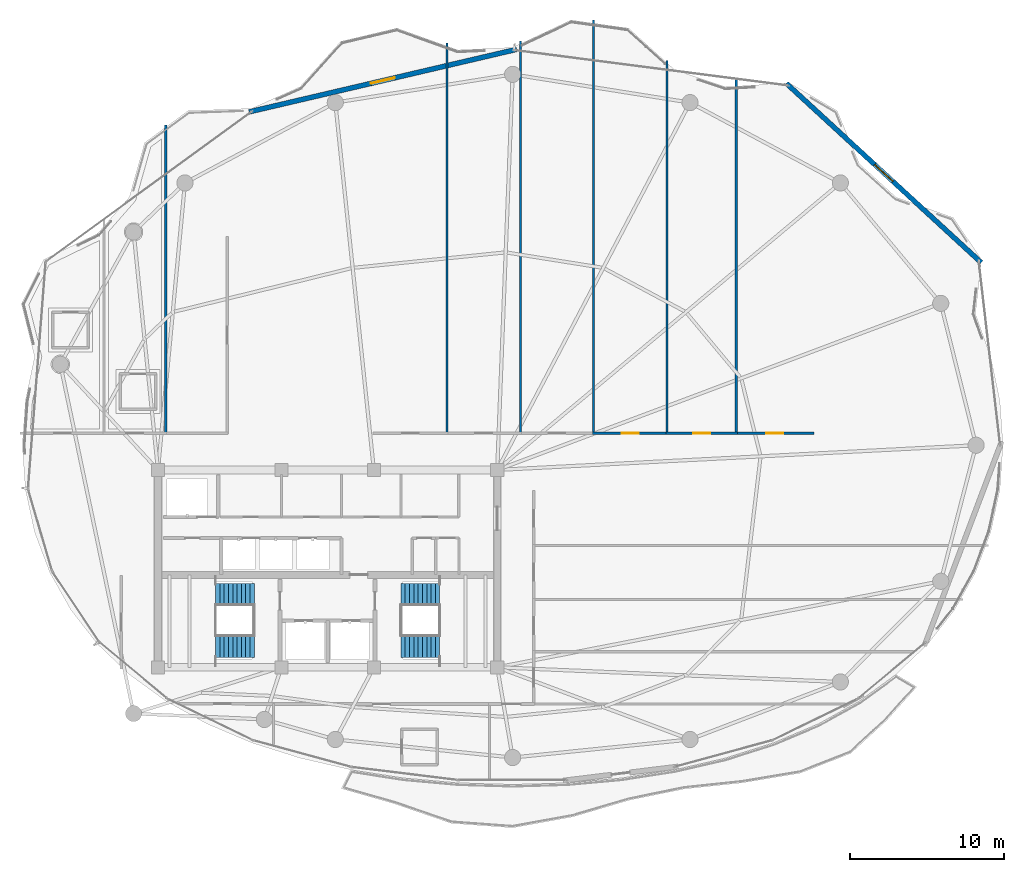
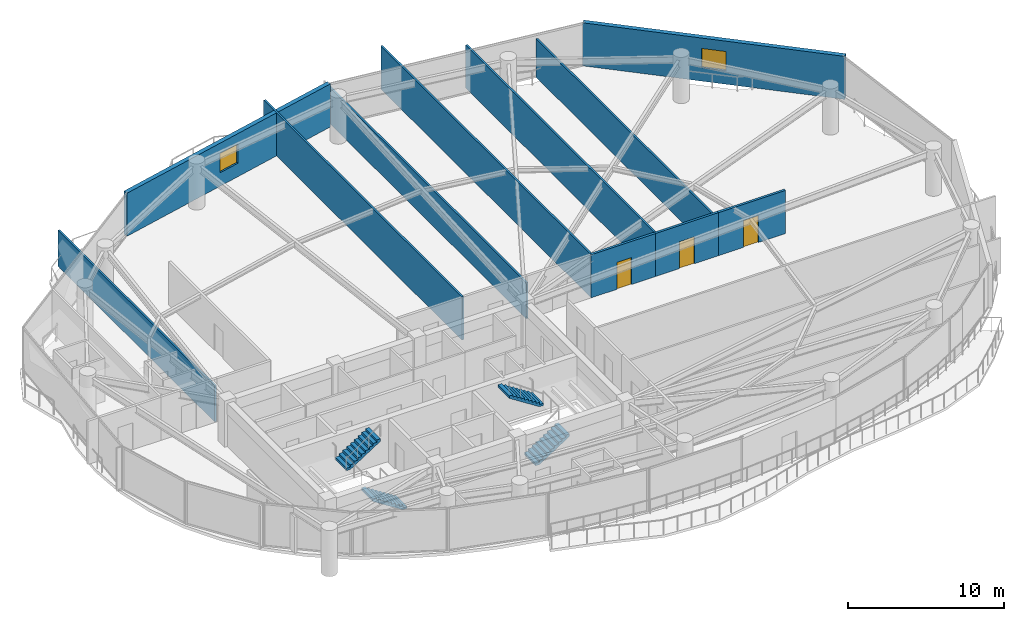
# One storey, part 27 of 31: 11 walls, 4 stair flights, 3 doors, 2 windows, 5 openings, 2 elements without a shape of their own.
"""IFC4 building model written with IfcOpenShell, lengths in metres."""

from ifc_helpers import new_model, si_unit, direction, frame, frame_2d, origin, place, context, subcontext, project, spatial, polyline, rectangle, outline, extrude, material, layer, layer_set, type_object, element, fill, aggregate, save


model = new_model("IFC4")

# Units and contexts
model_context = context("Model", 3, precision=1e-05, world=origin(), true_north=direction((0.0, 1.0)))
body_context = subcontext(model_context, "Body", "Model", "MODEL_VIEW")
ifc_project = project(units=[si_unit("LENGTHUNIT", "METRE"), si_unit("AREAUNIT", "SQUARE_METRE"), si_unit("VOLUMEUNIT", "CUBIC_METRE"), si_unit("PLANEANGLEUNIT", "RADIAN"), si_unit("MASSUNIT", "GRAM", prefix="KILO")], contexts=[model_context])

# Site, building, storey
site_placement = place(None, origin())
site = spatial("IfcSite", under=ifc_project, at=site_placement, CompositionType="ELEMENT")
building_placement = place(site_placement, origin())
building = spatial("IfcBuilding", under=site, at=building_placement, Name="Kazevale Care Tower and Concert Hall", CompositionType="ELEMENT")
storey_placement = place(building_placement, frame((0.0, 0.0, 206.39990234375)))
storey = spatial("IfcBuildingStorey", under=building, at=storey_placement, Name="L54", CompositionType="ELEMENT", Elevation=206.39990234375)

# Walls
ifc_material_1 = material(Name="Acoustic Gypsum on Steel Stud", Category="steel")
ifc_layer_1 = layer(ifc_material_1, 0.139892578125)
ifc_layer_set_1 = layer_set([ifc_layer_1], Name="Acoustic Gypsum on Steel Stud")
wall_type_1 = type_object("IfcWallType", Name="Acoustic Care & Suite Partition 140", PredefinedType="PARTITIONING", material=ifc_layer_set_1)
wall_1_placement = place(storey_placement, frame((22.5, 58.781982421875, 0.0), z_axis=(0.0, 0.0, 1.0), x_axis=(0.0, -1.0, 0.0)))
element("IfcWall", 1, at=wall_1_placement, inside=storey, type_object=wall_type_1, Name="wall:L54:auto_020", PredefinedType="PARTITIONING", context=body_context, shape_type="SweptSolid", body=[
    extrude(rectangle(XDim=20.036865234375, YDim=0.139892578125, at=frame_2d((10.0185546875, 0.0))), origin(), (0.0, 0.0, 1.0), 2.80615234375),
])
wall_2_placement = place(storey_placement, frame((40.75, 64.073974609375, 0.0), z_axis=(0.0, 0.0, 1.0), x_axis=(0.0, -1.0, 0.0)))
element("IfcWall", 2, at=wall_2_placement, inside=storey, type_object=wall_type_1, Name="wall:L54:auto_021", PredefinedType="PARTITIONING", context=body_context, shape_type="SweptSolid", body=[
    extrude(rectangle(XDim=25.328857421875, YDim=0.139892578125, at=frame_2d((12.66455078125, 0.0))), origin(), (0.0, 0.0, 1.0), 3.360107421875),
])
wall_3_placement = place(storey_placement, frame((45.5, 64.216064453125, 0.0), z_axis=(0.0, 0.0, 1.0), x_axis=(0.0, -1.0, 0.0)))
element("IfcWall", 3, at=wall_3_placement, inside=storey, type_object=wall_type_1, Name="wall:L54:auto_022", PredefinedType="PARTITIONING", context=body_context, shape_type="SweptSolid", body=[
    extrude(rectangle(XDim=25.470947265625, YDim=0.139892578125, at=frame_2d((12.7353515625, 0.0))), origin(), (0.0, 0.0, 1.0), 2.80615234375),
])
wall_4_placement = place(storey_placement, frame((50.25, 65.568115234375, 0.0), z_axis=(0.0, 0.0, 1.0), x_axis=(0.0, -1.0, 0.0)))
element("IfcWall", 4, at=wall_4_placement, inside=storey, type_object=wall_type_1, Name="wall:L54:auto_023", PredefinedType="PARTITIONING", context=body_context, shape_type="SweptSolid", body=[
    extrude(rectangle(XDim=26.822998046875, YDim=0.139892578125, at=frame_2d((13.41162109375, 0.0))), origin(), (0.0, 0.0, 1.0), 3.360107421875),
])
wall_5_placement = place(storey_placement, frame((55.0, 62.944091796875, 0.0), z_axis=(0.0, 0.0, 1.0), x_axis=(0.0, -1.0, 0.0)))
element("IfcWall", 5, at=wall_5_placement, inside=storey, type_object=wall_type_1, Name="wall:L54:auto_024", PredefinedType="PARTITIONING", context=body_context, shape_type="SweptSolid", body=[
    extrude(rectangle(XDim=24.198974609375, YDim=0.139892578125, at=frame_2d((12.099609375, 0.0))), origin(), (0.0, 0.0, 1.0), 3.360107421875),
])
wall_6_placement = place(storey_placement, frame((59.5, 61.744873046875, 0.0), z_axis=(0.0, 0.0, 1.0), x_axis=(0.0, -1.0, 0.0)))
element("IfcWall", 6, at=wall_6_placement, inside=storey, type_object=wall_type_1, Name="wall:L54:auto_025", PredefinedType="PARTITIONING", context=body_context, shape_type="SweptSolid", body=[
    extrude(rectangle(XDim=22.999755859375, YDim=0.139892578125, at=frame_2d((11.5, 0.0))), origin(), (0.0, 0.0, 1.0), 2.99609375),
])

# Wall, opening, door
ifc_material_2 = material(Name="Concrete C40 and Acoustic Gypsum", Category="concrete")
ifc_layer_2 = layer(ifc_material_2, 0.179931640625)
ifc_layer_set_2 = layer_set([ifc_layer_2], Name="Concrete C40 and Acoustic Gypsum")
wall_type_2 = type_object("IfcWallType", Name="Fire-Rated Corridor & Party Wall 180", PredefinedType="PARTITIONING", material=ifc_layer_set_2)
wall_7_placement = place(storey_placement, frame((50.18505859375, 38.77490234375, 0.0), z_axis=(0.0, 0.0, 1.0), x_axis=(1.0, 0.0, 0.0)))
wall_7 = element("IfcWall", 7, at=wall_7_placement, inside=storey, type_object=wall_type_2, Name="wall:L54:auto_008", PredefinedType="PARTITIONING", context=body_context, shape_type="SweptSolid", body=[
    extrude(rectangle(XDim=4.8798828125, YDim=0.179931640625, at=frame_2d((2.43994140625, 0.0))), origin(), (0.0, 0.0, 1.0), 3.360107421875),
])
opening_1_placement = place(wall_7_placement, frame((1.889892578125, 0.0, 0.0)))
opening_1 = element("IfcOpeningElement", 8, at=opening_1_placement, cuts=wall_7, Name="Opening ID-1100", PredefinedType="OPENING", context=body_context, shape_type="SweptSolid", body=[
    extrude(rectangle(XDim=1.10009765625, YDim=2.10009765625, at=frame_2d((0.550048828125, 1.050048828125))), frame((0.0, 0.099853515625, 0.0), z_axis=(0.0, -1.0, 0.0), x_axis=(1.0, 0.0, 0.0)), (0.0, 0.0, 1.0), 0.199951171875),
])
ifc_material_3 = material(Name="Oak Timber Fire Leaf", Category="wood")
door_type = type_object("IfcDoorType", Name="Care Bedroom Accessible Door 1100x2100", OperationType="NOTDEFINED", PredefinedType="DOOR", material=ifc_material_3)
door_1_placement = place(opening_1_placement, origin())
door_1 = element("IfcDoor", 9, at=door_1_placement, inside=storey, type_object=door_type, Name="door:L54:ad_008", OperationType="SINGLE_SWING_LEFT", OverallHeight=2.10009765625, OverallWidth=1.10009765625, PredefinedType="DOOR", context=body_context, shape_type="SweptSolid", body=[
    extrude(rectangle(XDim=1.10009765625, YDim=2.10009765625, at=frame_2d((0.550048828125, 1.050048828125))), frame((0.0, 0.02490234375, 0.0), z_axis=(0.0, -1.0, 0.0), x_axis=(1.0, 0.0, 0.0)), (0.0, 0.0, 1.0), 0.050048828125),
])
fill(opening_1, door_1)

wall_8_placement = place(storey_placement, frame((54.93505859375, 38.77490234375, 0.0), z_axis=(0.0, 0.0, 1.0), x_axis=(1.0, 0.0, 0.0)))
wall_8 = element("IfcWall", 10, at=wall_8_placement, inside=storey, type_object=wall_type_2, Name="wall:L54:auto_009", PredefinedType="PARTITIONING", context=body_context, shape_type="SweptSolid", body=[
    extrude(rectangle(XDim=4.6298828125, YDim=0.179931640625, at=frame_2d((2.31494140625, 0.0))), origin(), (0.0, 0.0, 1.0), 3.360107421875),
])
opening_2_placement = place(wall_8_placement, frame((1.764892578125, 0.0, 0.0)))
opening_2 = element("IfcOpeningElement", 11, at=opening_2_placement, cuts=wall_8, Name="Opening ID-1100", PredefinedType="OPENING", context=body_context, shape_type="SweptSolid", body=[
    extrude(rectangle(XDim=1.10009765625, YDim=2.10009765625, at=frame_2d((0.550048828125, 1.050048828125))), frame((0.0, 0.099853515625, 0.0), z_axis=(0.0, -1.0, 0.0), x_axis=(1.0, 0.0, 0.0)), (0.0, 0.0, 1.0), 0.199951171875),
])
door_2_placement = place(opening_2_placement, origin())
door_2 = element("IfcDoor", 12, at=door_2_placement, inside=storey, type_object=door_type, Name="door:L54:ad_009", OperationType="SINGLE_SWING_LEFT", OverallHeight=2.10009765625, OverallWidth=1.10009765625, PredefinedType="DOOR", context=body_context, shape_type="SweptSolid", body=[
    extrude(rectangle(XDim=1.10009765625, YDim=2.10009765625, at=frame_2d((0.550048828125, 1.050048828125))), frame((0.0, 0.02490234375, 0.0), z_axis=(0.0, -1.0, 0.0), x_axis=(1.0, 0.0, 0.0)), (0.0, 0.0, 1.0), 0.050048828125),
])
fill(opening_2, door_2)

wall_9_placement = place(storey_placement, frame((59.43505859375, 38.77490234375, 0.0), z_axis=(0.0, 0.0, 1.0), x_axis=(1.0, 0.0, 0.0)))
wall_9 = element("IfcWall", 13, at=wall_9_placement, inside=storey, type_object=wall_type_2, Name="wall:L54:auto_010", PredefinedType="PARTITIONING", context=body_context, shape_type="SweptSolid", body=[
    extrude(rectangle(XDim=5.094970703125, YDim=0.179931640625, at=frame_2d((2.54736328125, 0.0))), origin(), (0.0, 0.0, 1.0), 3.360107421875),
])
opening_3_placement = place(wall_9_placement, frame((1.9970703125, 0.0, 0.0)))
opening_3 = element("IfcOpeningElement", 14, at=opening_3_placement, cuts=wall_9, Name="Opening ID-1100", PredefinedType="OPENING", context=body_context, shape_type="SweptSolid", body=[
    extrude(rectangle(XDim=1.10009765625, YDim=2.10009765625, at=frame_2d((0.550048828125, 1.050048828125))), frame((0.0, 0.099853515625, 0.0), z_axis=(0.0, -1.0, 0.0), x_axis=(1.0, 0.0, 0.0)), (0.0, 0.0, 1.0), 0.199951171875),
])
door_3_placement = place(opening_3_placement, origin())
door_3 = element("IfcDoor", 15, at=door_3_placement, inside=storey, type_object=door_type, Name="door:L54:ad_010", OperationType="SINGLE_SWING_LEFT", OverallHeight=2.10009765625, OverallWidth=1.10009765625, PredefinedType="DOOR", context=body_context, shape_type="SweptSolid", body=[
    extrude(rectangle(XDim=1.10009765625, YDim=2.10009765625, at=frame_2d((0.550048828125, 1.050048828125))), frame((0.0, 0.02490234375, 0.0), z_axis=(0.0, -1.0, 0.0), x_axis=(1.0, 0.0, 0.0)), (0.0, 0.0, 1.0), 0.050048828125),
])
fill(opening_3, door_3)

# Wall, opening, window
ifc_material_4 = material(Name="Concrete C40 with Honed Limestone Cladding", Category="masonry")
ifc_layer_3 = layer(ifc_material_4, 0.320068359375)
ifc_layer_set_3 = layer_set([ifc_layer_3], Name="Concrete C40 with Honed Limestone Cladding")
wall_type_3 = type_object("IfcWallType", Name="Tower Honed Limestone Spandrel Wall 320", PredefinedType="STANDARD", material=ifc_layer_set_3)
wall_10_placement = place(storey_placement, frame((27.908935546875, 59.616943359375, 0.0), z_axis=(0.0, 0.0, 1.0), x_axis=(0.973753606594, 0.227604731158, 0.0)))
wall_10 = element("IfcWall", 16, at=wall_10_placement, inside=storey, type_object=wall_type_3, Name="wall:L54:cbox:15", PredefinedType="STANDARD", context=body_context, shape_type="SweptSolid", body=[
    extrude(rectangle(XDim=17.816650390625, YDim=0.320068359375, at=frame_2d((8.908203125, 0.0))), origin(), (0.0, 0.0, 1.0), 3.360107421875),
])
opening_4_placement = place(wall_10_placement, frame((8.10888671875, 0.0, 1.050048828125)))
opening_4 = element("IfcOpeningElement", 17, at=opening_4_placement, cuts=wall_10, Name="Opening WIN-1", PredefinedType="OPENING", context=body_context, shape_type="SweptSolid", body=[
    extrude(rectangle(XDim=1.60009765625, YDim=1.5, at=frame_2d((0.800048828125, 0.75))), frame((0.0, 0.169921875, 0.0), z_axis=(0.0, -1.0, 0.0), x_axis=(1.0, 0.0, 0.0)), (0.0, 0.0, 1.0), 0.340087890625),
])
ifc_material_5 = material(Name="Low-E Laminated Glass", Category="glass")
window_type = type_object("IfcWindowType", Name="Convex Box Deep-Set Window 1600x1500", PartitioningType="DOUBLE_PANEL_VERTICAL", PredefinedType="WINDOW", material=ifc_material_5)
window_1_placement = place(opening_4_placement, origin())
window_1 = element("IfcWindow", 18, at=window_1_placement, inside=storey, type_object=window_type, Name="win:L54:cbox:15", OverallHeight=1.5, OverallWidth=1.60009765625, PartitioningType="SINGLE_PANEL", PredefinedType="WINDOW", context=body_context, shape_type="SweptSolid", body=[
    extrude(rectangle(XDim=1.60009765625, YDim=1.5, at=frame_2d((0.800048828125, 0.75))), frame((0.0, 0.030029296875, 0.0), z_axis=(0.0, -1.0, 0.0), x_axis=(1.0, 0.0, 0.0)), (0.0, 0.0, 1.0), 0.06005859375),
])
fill(opening_4, window_1)

wall_11_placement = place(storey_placement, frame((62.7509765625, 61.462890625, 0.0), z_axis=(0.0, 0.0, 1.0), x_axis=(0.736063690764, -0.676912286149, 0.0)))
wall_11 = element("IfcWall", 19, at=wall_11_placement, inside=storey, type_object=wall_type_3, Name="wall:L54:cbox:17", PredefinedType="STANDARD", context=body_context, shape_type="SweptSolid", body=[
    extrude(rectangle(XDim=17.16162109375, YDim=0.320068359375, at=frame_2d((8.580810546875, 0.0))), origin(), (0.0, 0.0, 1.0), 3.360107421875),
])
opening_5_placement = place(wall_11_placement, frame((7.781005859375, 0.0, 1.050048828125)))
opening_5 = element("IfcOpeningElement", 20, at=opening_5_placement, cuts=wall_11, Name="Opening WIN-1", PredefinedType="OPENING", context=body_context, shape_type="SweptSolid", body=[
    extrude(rectangle(XDim=1.60009765625, YDim=1.5, at=frame_2d((0.800048828125, 0.75))), frame((0.0, 0.169921875, 0.0), z_axis=(0.0, -1.0, 0.0), x_axis=(1.0, 0.0, 0.0)), (0.0, 0.0, 1.0), 0.340087890625),
])
window_2_placement = place(opening_5_placement, origin())
window_2 = element("IfcWindow", 21, at=window_2_placement, inside=storey, type_object=window_type, Name="win:L54:cbox:17", OverallHeight=1.5, OverallWidth=1.60009765625, PartitioningType="SINGLE_PANEL", PredefinedType="WINDOW", context=body_context, shape_type="SweptSolid", body=[
    extrude(rectangle(XDim=1.60009765625, YDim=1.5, at=frame_2d((0.800048828125, 0.75))), frame((0.0, 0.030029296875, 0.0), z_axis=(0.0, -1.0, 0.0), x_axis=(1.0, 0.0, 0.0)), (0.0, 0.0, 1.0), 0.06005859375),
])
fill(opening_5, window_2)

# Stair, stair flights
ifc_material_6 = material(Name="Concrete C40", Category="concrete")
stair_type = type_object("IfcStairType", Name="Exit Stair Assembly ST1-Z3", PredefinedType="HALF_TURN_STAIR", material=ifc_material_6)
stair_1_placement = place(storey_placement, origin())
stair_1 = element("IfcStair", 22, at=stair_1_placement, inside=storey, type_object=stair_type, Name="stair:L54:ST1", PredefinedType="HALF_TURN_STAIR")
ifc_layer_4 = layer(ifc_material_6, 0.159912109375)
ifc_layer_set_4 = layer_set([ifc_layer_4], Name="Concrete C40")
stair_flight_type = type_object("IfcStairFlightType", Name="Exit Stair Flight ST1-Z3", PredefinedType="STRAIGHT", material=ifc_layer_set_4)
stair_flight_1_placement = place(storey_placement, frame((28.25, 24.97509765625, 0.0), z_axis=(0.0, 0.0, 1.0), x_axis=(-1.0, 0.0, 0.0)))
stair_flight_1 = element("IfcStairFlight", 23, at=stair_flight_1_placement, type_object=stair_flight_type, Name="ST1-Z3 flight 1", NumberOfRisers=10, NumberOfTreads=9, PredefinedType="STRAIGHT", RiserHeight=0.18, TreadLength=0.28, context=body_context, shape_type="SweptSolid", body=[
    extrude(outline(polyline([(0.0, 0.0), (0.0, 0.179931640625), (0.280029296875, 0.179931640625), (0.280029296875, 0.360107421875), (0.56005859375, 0.360107421875), (0.56005859375, 0.5400390625), (0.840087890625, 0.5400390625), (0.840087890625, 0.719970703125), (1.1201171875, 0.719970703125), (1.1201171875, 0.89990234375), (1.39990234375, 0.89990234375), (1.39990234375, 1.080078125), (1.679931640625, 1.080078125), (1.679931640625, 1.260009765625), (1.9599609375, 1.260009765625), (1.9599609375, 1.43994140625), (2.239990234375, 1.43994140625), (2.239990234375, 1.6201171875), (2.52001953125, 1.6201171875), (2.52001953125, 1.800048828125), (2.52001953125, 1.429931640625), (0.295654296875, 0.0), (0.0, 0.0)])), frame((0.0, 0.72509765625, 0.0), z_axis=(0.0, -1.0, 0.0), x_axis=(1.0, 0.0, 0.0)), (0.0, 0.0, 1.0), 1.449951171875),
])
stair_flight_2_placement = place(storey_placement, frame((25.72998046875, 28.324951171875, 1.800048828125), z_axis=(0.0, 0.0, 1.0), x_axis=(1.0, 0.0, 0.0)))
stair_flight_2 = element("IfcStairFlight", 24, at=stair_flight_2_placement, type_object=stair_flight_type, Name="ST1-Z3 flight 2", NumberOfRisers=10, NumberOfTreads=9, PredefinedType="STRAIGHT", RiserHeight=0.18, TreadLength=0.28, context=body_context, shape_type="SweptSolid", body=[
    extrude(outline(polyline([(0.0, 0.0), (0.0, 0.179931640625), (0.280029296875, 0.179931640625), (0.280029296875, 0.360107421875), (0.56005859375, 0.360107421875), (0.56005859375, 0.5400390625), (0.840087890625, 0.5400390625), (0.840087890625, 0.719970703125), (1.1201171875, 0.719970703125), (1.1201171875, 0.89990234375), (1.39990234375, 0.89990234375), (1.39990234375, 1.080078125), (1.679931640625, 1.080078125), (1.679931640625, 1.260009765625), (1.9599609375, 1.260009765625), (1.9599609375, 1.43994140625), (2.239990234375, 1.43994140625), (2.239990234375, 1.6201171875), (2.52001953125, 1.6201171875), (2.52001953125, 1.800048828125), (2.52001953125, 1.429931640625), (0.295654296875, 0.0), (0.0, 0.0)])), frame((0.0, 0.72509765625, 0.0), z_axis=(0.0, -1.0, 0.0), x_axis=(1.0, 0.0, 0.0)), (0.0, 0.0, 1.0), 1.449951171875),
])
aggregate(stair_1, [stair_flight_1, stair_flight_2])

stair_2_placement = place(storey_placement, origin())
stair_2 = element("IfcStair", 25, at=stair_2_placement, inside=storey, type_object=stair_type, Name="stair:L54:ST2", PredefinedType="HALF_TURN_STAIR")
stair_flight_3_placement = place(storey_placement, frame((37.75, 24.97509765625, 0.0), z_axis=(0.0, 0.0, 1.0), x_axis=(1.0, 0.0, 0.0)))
stair_flight_3 = element("IfcStairFlight", 26, at=stair_flight_3_placement, type_object=stair_flight_type, Name="ST1-Z3 flight 1", NumberOfRisers=10, NumberOfTreads=9, PredefinedType="STRAIGHT", RiserHeight=0.18, TreadLength=0.28, context=body_context, shape_type="SweptSolid", body=[
    extrude(outline(polyline([(0.0, 0.0), (0.0, 0.179931640625), (0.280029296875, 0.179931640625), (0.280029296875, 0.360107421875), (0.56005859375, 0.360107421875), (0.56005859375, 0.5400390625), (0.840087890625, 0.5400390625), (0.840087890625, 0.719970703125), (1.1201171875, 0.719970703125), (1.1201171875, 0.89990234375), (1.39990234375, 0.89990234375), (1.39990234375, 1.080078125), (1.679931640625, 1.080078125), (1.679931640625, 1.260009765625), (1.9599609375, 1.260009765625), (1.9599609375, 1.43994140625), (2.239990234375, 1.43994140625), (2.239990234375, 1.6201171875), (2.52001953125, 1.6201171875), (2.52001953125, 1.800048828125), (2.52001953125, 1.429931640625), (0.295654296875, 0.0), (0.0, 0.0)])), frame((0.0, 0.72509765625, 0.0), z_axis=(0.0, -1.0, 0.0), x_axis=(1.0, 0.0, 0.0)), (0.0, 0.0, 1.0), 1.449951171875),
])
stair_flight_4_placement = place(storey_placement, frame((40.27001953125, 28.324951171875, 1.800048828125), z_axis=(0.0, 0.0, 1.0), x_axis=(-1.0, 0.0, 0.0)))
stair_flight_4 = element("IfcStairFlight", 27, at=stair_flight_4_placement, type_object=stair_flight_type, Name="ST1-Z3 flight 2", NumberOfRisers=10, NumberOfTreads=9, PredefinedType="STRAIGHT", RiserHeight=0.18, TreadLength=0.28, context=body_context, shape_type="SweptSolid", body=[
    extrude(outline(polyline([(0.0, 0.0), (0.0, 0.179931640625), (0.280029296875, 0.179931640625), (0.280029296875, 0.360107421875), (0.56005859375, 0.360107421875), (0.56005859375, 0.5400390625), (0.840087890625, 0.5400390625), (0.840087890625, 0.719970703125), (1.1201171875, 0.719970703125), (1.1201171875, 0.89990234375), (1.39990234375, 0.89990234375), (1.39990234375, 1.080078125), (1.679931640625, 1.080078125), (1.679931640625, 1.260009765625), (1.9599609375, 1.260009765625), (1.9599609375, 1.43994140625), (2.239990234375, 1.43994140625), (2.239990234375, 1.6201171875), (2.52001953125, 1.6201171875), (2.52001953125, 1.800048828125), (2.52001953125, 1.429931640625), (0.295654296875, 0.0), (0.0, 0.0)])), frame((0.0, 0.72509765625, 0.0), z_axis=(0.0, -1.0, 0.0), x_axis=(1.0, 0.0, 0.0)), (0.0, 0.0, 1.0), 1.449951171875),
])
aggregate(stair_2, [stair_flight_3, stair_flight_4])

save(model, "model.ifc")
